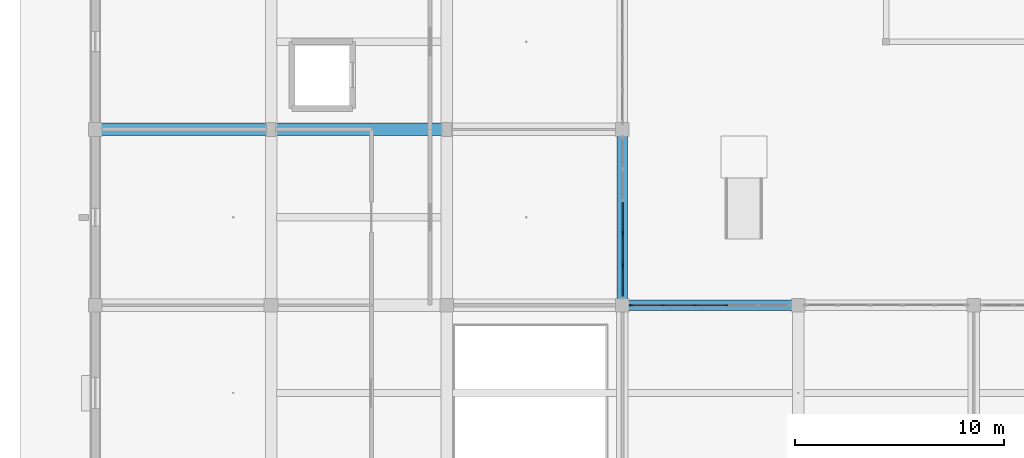
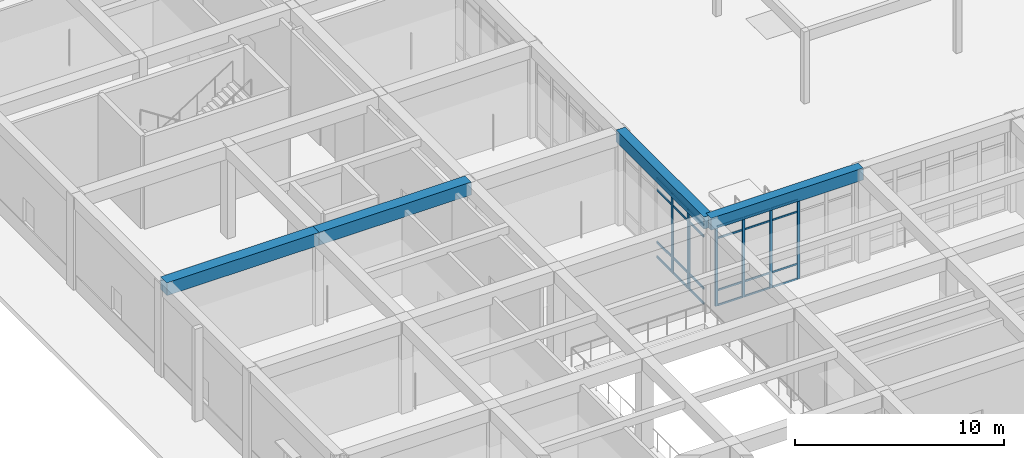
# One storey, part 13 of 167: 30 members, 4 beams, 2 elements without a shape of their own.
"""IFC4 building model written with IfcOpenShell, lengths in metres."""

from ifc_helpers import new_model, si_unit, direction, frame, origin, origin_2d, place, context, subcontext, project, spatial, rectangle, extrude, material, material_profile, profile_set, type_object, element, aggregate, save


model = new_model("IFC4")

# Units and contexts
model_context = context("Model", 3, precision=1e-05, world=origin(), true_north=direction((0.0, 1.0)))
body_context = subcontext(model_context, "Body", "Model", "MODEL_VIEW")
ifc_project = project(units=[si_unit("LENGTHUNIT", "METRE"), si_unit("AREAUNIT", "SQUARE_METRE"), si_unit("VOLUMEUNIT", "CUBIC_METRE"), si_unit("PLANEANGLEUNIT", "RADIAN"), si_unit("MASSUNIT", "GRAM", prefix="KILO")], contexts=[model_context])

# Site, building, storey
site_placement = place(None, origin())
site = spatial("IfcSite", under=ifc_project, at=site_placement, CompositionType="ELEMENT")
building_placement = place(site_placement, origin())
building = spatial("IfcBuilding", under=site, at=building_placement, Name="Varncliffe General Hospital", CompositionType="ELEMENT")
storey_placement = place(building_placement, origin())
storey = spatial("IfcBuildingStorey", under=building, at=storey_placement, Name="L00", CompositionType="ELEMENT", Elevation=0.0)

# Beams
ifc_material_1 = material(Name="Concrete C35/45 (CSA A23.1 35 MPa)", Category="concrete")
ifc_material_profile_1 = material_profile(ifc_material_1, rectangle(XDim=0.60009765625, YDim=0.75, at=origin_2d()), Name="RC 600x750")
ifc_profile_set_1 = profile_set([ifc_material_profile_1], Name="Concrete C35/45 (CSA A23.1 35 MPa)")
beam_type_1 = type_object("IfcBeamType", Name="Beam B23 (Int RC 600x750)", PredefinedType="BEAM", material=ifc_profile_set_1)
beam_1_placement = place(storey_placement, frame((0.0, 49.199951171875, 5.02490234375), z_axis=(1.0, 0.0, 0.0), x_axis=(0.0, 1.0, 0.0)))
element("IfcBeam", 1, at=beam_1_placement, inside=storey, type_object=beam_type_1, Name="L00 Primary Beam B23-67", PredefinedType="BEAM", context=body_context, shape_type="SweptSolid", body=[
    extrude(rectangle(XDim=0.60009765625, YDim=0.75, at=origin_2d()), origin(), (0.0, 0.0, 1.0), 8.39990234375),
])
beam_2_placement = place(storey_placement, frame((8.39990234375, 49.199951171875, 5.02490234375), z_axis=(1.0, 0.0, 0.0), x_axis=(0.0, 1.0, 0.0)))
element("IfcBeam", 2, at=beam_2_placement, inside=storey, type_object=beam_type_1, Name="L00 Primary Beam B23-68", PredefinedType="BEAM", context=body_context, shape_type="SweptSolid", body=[
    extrude(rectangle(XDim=0.60009765625, YDim=0.75, at=origin_2d()), origin(), (0.0, 0.0, 1.0), 8.400146484375),
])

# Curtain wall, members
ifc_material_2 = material(Name="Triple low-E argon insulated vision glazing", Category="glass")
curtain_wall_type_1 = type_object("IfcCurtainWallType", Name="Unitised Glazed Curtain Wall CW15 (7674x4640)", PredefinedType="USERDEFINED", material=ifc_material_2)
curtain_wall_1_placement = place(storey_placement, origin())
curtain_wall_1 = element("IfcCurtainWall", 3, at=curtain_wall_1_placement, inside=storey, type_object=curtain_wall_type_1, Name="L00 Glazed Curtain Wall CW15-16", ObjectType="GLAZED CURTAIN WALL", PredefinedType="USERDEFINED")
ifc_material_3 = material(Name="Dark bronze thermally broken aluminium framing", Category="aluminium")
ifc_material_profile_2 = material_profile(ifc_material_3, rectangle(XDim=0.074951171875, YDim=0.179931640625, at=origin_2d()), Name="ALU 75x180")
ifc_profile_set_2 = profile_set([ifc_material_profile_2], Name="Dark bronze thermally broken aluminium framing")
member_type_1 = type_object("IfcMemberType", Name="Curtain Wall Mullion CM44 (ALU 75x180)", PredefinedType="MULLION", material=ifc_profile_set_2)
member_1_placement = place(storey_placement, frame((25.199951171875, 44.232666015625, 0.0), z_axis=(0.0, 0.0, 1.0), x_axis=(1.0, 0.0, 0.0)))
member_1 = element("IfcMember", 4, at=member_1_placement, type_object=member_type_1, Name="CW15 mullion 4", PredefinedType="MULLION", context=body_context, shape_type="SweptSolid", body=[
    extrude(rectangle(XDim=0.074951171875, YDim=0.179931640625, at=origin_2d()), origin(), (0.0, 0.0, 1.0), 4.639892578125),
])
member_2_placement = place(storey_placement, frame((25.199951171875, 42.69775390625, 0.0), z_axis=(0.0, 0.0, 1.0), x_axis=(1.0, 0.0, 0.0)))
member_2 = element("IfcMember", 5, at=member_2_placement, type_object=member_type_1, Name="CW15 mullion 5", PredefinedType="MULLION", context=body_context, shape_type="SweptSolid", body=[
    extrude(rectangle(XDim=0.074951171875, YDim=0.179931640625, at=origin_2d()), origin(), (0.0, 0.0, 1.0), 4.639892578125),
])

curtain_wall_type_2 = type_object("IfcCurtainWallType", Name="Unitised Glazed Curtain Wall CW26 (7594x4640)", PredefinedType="USERDEFINED", material=ifc_material_2)
curtain_wall_2_placement = place(storey_placement, origin())
curtain_wall_2 = element("IfcCurtainWall", 6, at=curtain_wall_2_placement, inside=storey, type_object=curtain_wall_type_2, Name="L00 Glazed Curtain Wall CW26-17", ObjectType="GLAZED CURTAIN WALL", PredefinedType="USERDEFINED")
ifc_material_profile_3 = material_profile(ifc_material_3, rectangle(XDim=0.06494140625, YDim=0.159912109375, at=origin_2d()), Name="ALU 65x160")
ifc_profile_set_3 = profile_set([ifc_material_profile_3], Name="Dark bronze thermally broken aluminium framing")
member_type_2 = type_object("IfcMemberType", Name="Curtain Wall Mullion CM65 (ALU 65x160)", PredefinedType="MULLION", material=ifc_profile_set_3)
member_3_placement = place(storey_placement, frame((25.635498046875, 40.800048828125, 0.0), z_axis=(0.0, 0.0, 1.0), x_axis=(0.0, 1.0, 0.0)))
member_3 = element("IfcMember", 7, at=member_3_placement, type_object=member_type_2, Name="CW26 mullion 1", PredefinedType="MULLION", context=body_context, shape_type="SweptSolid", body=[
    extrude(rectangle(XDim=0.06494140625, YDim=0.159912109375, at=origin_2d()), origin(), (0.0, 0.0, 1.0), 4.639892578125),
])
member_4_placement = place(storey_placement, frame((27.121826171875, 40.800048828125, 0.0), z_axis=(0.0, 0.0, 1.0), x_axis=(0.0, 1.0, 0.0)))
member_4 = element("IfcMember", 8, at=member_4_placement, type_object=member_type_2, Name="CW26 mullion 2", PredefinedType="MULLION", context=body_context, shape_type="SweptSolid", body=[
    extrude(rectangle(XDim=0.06494140625, YDim=0.159912109375, at=origin_2d()), origin(), (0.0, 0.0, 1.0), 4.639892578125),
])
member_5_placement = place(storey_placement, frame((28.640625, 40.800048828125, 0.0), z_axis=(0.0, 0.0, 1.0), x_axis=(0.0, 1.0, 0.0)))
member_5 = element("IfcMember", 9, at=member_5_placement, type_object=member_type_2, Name="CW26 mullion 3", PredefinedType="MULLION", context=body_context, shape_type="SweptSolid", body=[
    extrude(rectangle(XDim=0.06494140625, YDim=0.159912109375, at=origin_2d()), origin(), (0.0, 0.0, 1.0), 4.639892578125),
])
member_6_placement = place(storey_placement, frame((30.159423828125, 40.800048828125, 0.0), z_axis=(0.0, 0.0, 1.0), x_axis=(0.0, 1.0, 0.0)))
member_6 = element("IfcMember", 10, at=member_6_placement, type_object=member_type_2, Name="CW26 mullion 4", PredefinedType="MULLION", context=body_context, shape_type="SweptSolid", body=[
    extrude(rectangle(XDim=0.06494140625, YDim=0.159912109375, at=origin_2d()), origin(), (0.0, 0.0, 1.0), 4.639892578125),
])

# Member
ifc_material_profile_4 = material_profile(ifc_material_3, rectangle(XDim=0.06005859375, YDim=0.1201171875, at=origin_2d()), Name="ALU 60x120")
ifc_profile_set_4 = profile_set([ifc_material_profile_4], Name="Dark bronze thermally broken aluminium framing")
member_type_3 = type_object("IfcMemberType", Name="Curtain Wall Transom CT14 (ALU 60x120)", PredefinedType="USERDEFINED", material=ifc_profile_set_4)
member_7_placement = place(storey_placement, frame((25.199951171875, 45.72998046875, 0.030029296875), z_axis=(0.0, -1.0, 0.0), x_axis=(1.0, 0.0, 0.0)))
member_7 = element("IfcMember", 11, at=member_7_placement, type_object=member_type_3, Name="CW15 transom 3.1", ObjectType="TRANSOM", PredefinedType="USERDEFINED", context=body_context, shape_type="SweptSolid", body=[
    extrude(rectangle(XDim=0.06005859375, YDim=0.1201171875, at=origin_2d()), origin(), (0.0, 0.0, 1.0), 1.4599609375),
])

member_8_placement = place(storey_placement, frame((25.199951171875, 45.72998046875, 0.89990234375), z_axis=(0.0, -1.0, 0.0), x_axis=(1.0, 0.0, 0.0)))
member_8 = element("IfcMember", 12, at=member_8_placement, type_object=member_type_3, Name="CW15 transom 3.2", ObjectType="TRANSOM", PredefinedType="USERDEFINED", context=body_context, shape_type="SweptSolid", body=[
    extrude(rectangle(XDim=0.06005859375, YDim=0.1201171875, at=origin_2d()), origin(), (0.0, 0.0, 1.0), 1.4599609375),
])

member_9_placement = place(storey_placement, frame((25.199951171875, 45.72998046875, 3.93994140625), z_axis=(0.0, -1.0, 0.0), x_axis=(1.0, 0.0, 0.0)))
member_9 = element("IfcMember", 13, at=member_9_placement, type_object=member_type_3, Name="CW15 transom 3.3", ObjectType="TRANSOM", PredefinedType="USERDEFINED", context=body_context, shape_type="SweptSolid", body=[
    extrude(rectangle(XDim=0.06005859375, YDim=0.1201171875, at=origin_2d()), origin(), (0.0, 0.0, 1.0), 1.4599609375),
])

member_10_placement = place(storey_placement, frame((25.199951171875, 45.72998046875, 4.610107421875), z_axis=(0.0, -1.0, 0.0), x_axis=(1.0, 0.0, 0.0)))
member_10 = element("IfcMember", 14, at=member_10_placement, type_object=member_type_3, Name="CW15 transom 3.4", ObjectType="TRANSOM", PredefinedType="USERDEFINED", context=body_context, shape_type="SweptSolid", body=[
    extrude(rectangle(XDim=0.06005859375, YDim=0.1201171875, at=origin_2d()), origin(), (0.0, 0.0, 1.0), 1.4599609375),
])

member_11_placement = place(storey_placement, frame((25.199951171875, 44.195068359375, 0.030029296875), z_axis=(0.0, -1.0, 0.0), x_axis=(1.0, 0.0, 0.0)))
member_11 = element("IfcMember", 15, at=member_11_placement, type_object=member_type_3, Name="CW15 transom 4.1", ObjectType="TRANSOM", PredefinedType="USERDEFINED", context=body_context, shape_type="SweptSolid", body=[
    extrude(rectangle(XDim=0.06005859375, YDim=0.1201171875, at=origin_2d()), origin(), (0.0, 0.0, 1.0), 1.459716796875),
])

member_12_placement = place(storey_placement, frame((25.199951171875, 44.195068359375, 0.89990234375), z_axis=(0.0, -1.0, 0.0), x_axis=(1.0, 0.0, 0.0)))
member_12 = element("IfcMember", 16, at=member_12_placement, type_object=member_type_3, Name="CW15 transom 4.2", ObjectType="TRANSOM", PredefinedType="USERDEFINED", context=body_context, shape_type="SweptSolid", body=[
    extrude(rectangle(XDim=0.06005859375, YDim=0.1201171875, at=origin_2d()), origin(), (0.0, 0.0, 1.0), 1.459716796875),
])

member_13_placement = place(storey_placement, frame((25.199951171875, 44.195068359375, 3.93994140625), z_axis=(0.0, -1.0, 0.0), x_axis=(1.0, 0.0, 0.0)))
member_13 = element("IfcMember", 17, at=member_13_placement, type_object=member_type_3, Name="CW15 transom 4.3", ObjectType="TRANSOM", PredefinedType="USERDEFINED", context=body_context, shape_type="SweptSolid", body=[
    extrude(rectangle(XDim=0.06005859375, YDim=0.1201171875, at=origin_2d()), origin(), (0.0, 0.0, 1.0), 1.459716796875),
])

member_14_placement = place(storey_placement, frame((25.199951171875, 44.195068359375, 4.610107421875), z_axis=(0.0, -1.0, 0.0), x_axis=(1.0, 0.0, 0.0)))
member_14 = element("IfcMember", 18, at=member_14_placement, type_object=member_type_3, Name="CW15 transom 4.4", ObjectType="TRANSOM", PredefinedType="USERDEFINED", context=body_context, shape_type="SweptSolid", body=[
    extrude(rectangle(XDim=0.06005859375, YDim=0.1201171875, at=origin_2d()), origin(), (0.0, 0.0, 1.0), 1.459716796875),
])

member_15_placement = place(storey_placement, frame((25.199951171875, 42.660400390625, 0.030029296875), z_axis=(0.0, -1.0, 0.0), x_axis=(1.0, 0.0, 0.0)))
member_15 = element("IfcMember", 19, at=member_15_placement, type_object=member_type_3, Name="CW15 transom 5.1", ObjectType="TRANSOM", PredefinedType="USERDEFINED", context=body_context, shape_type="SweptSolid", body=[
    extrude(rectangle(XDim=0.06005859375, YDim=0.1201171875, at=origin_2d()), origin(), (0.0, 0.0, 1.0), 1.42236328125),
])

member_16_placement = place(storey_placement, frame((25.199951171875, 42.660400390625, 0.89990234375), z_axis=(0.0, -1.0, 0.0), x_axis=(1.0, 0.0, 0.0)))
member_16 = element("IfcMember", 20, at=member_16_placement, type_object=member_type_3, Name="CW15 transom 5.2", ObjectType="TRANSOM", PredefinedType="USERDEFINED", context=body_context, shape_type="SweptSolid", body=[
    extrude(rectangle(XDim=0.06005859375, YDim=0.1201171875, at=origin_2d()), origin(), (0.0, 0.0, 1.0), 1.42236328125),
])

member_17_placement = place(storey_placement, frame((25.199951171875, 42.660400390625, 3.93994140625), z_axis=(0.0, -1.0, 0.0), x_axis=(1.0, 0.0, 0.0)))
member_17 = element("IfcMember", 21, at=member_17_placement, type_object=member_type_3, Name="CW15 transom 5.3", ObjectType="TRANSOM", PredefinedType="USERDEFINED", context=body_context, shape_type="SweptSolid", body=[
    extrude(rectangle(XDim=0.06005859375, YDim=0.1201171875, at=origin_2d()), origin(), (0.0, 0.0, 1.0), 1.42236328125),
])

member_18_placement = place(storey_placement, frame((25.199951171875, 42.660400390625, 4.610107421875), z_axis=(0.0, -1.0, 0.0), x_axis=(1.0, 0.0, 0.0)))
member_18 = element("IfcMember", 22, at=member_18_placement, type_object=member_type_3, Name="CW15 transom 5.4", ObjectType="TRANSOM", PredefinedType="USERDEFINED", context=body_context, shape_type="SweptSolid", body=[
    extrude(rectangle(XDim=0.06005859375, YDim=0.1201171875, at=origin_2d()), origin(), (0.0, 0.0, 1.0), 1.42236328125),
])

aggregate(curtain_wall_1, [member_1, member_2, member_7, member_8, member_9, member_10, member_11, member_12, member_13, member_14, member_15, member_16, member_17, member_18])

ifc_material_profile_5 = material_profile(ifc_material_3, rectangle(XDim=0.06005859375, YDim=0.10009765625, at=origin_2d()), Name="ALU 60x100")
ifc_profile_set_5 = profile_set([ifc_material_profile_5], Name="Dark bronze thermally broken aluminium framing")
member_type_4 = type_object("IfcMemberType", Name="Curtain Wall Transom CT18 (ALU 60x100)", PredefinedType="USERDEFINED", material=ifc_profile_set_5)
member_19_placement = place(storey_placement, frame((25.66796875, 40.800048828125, 0.030029296875), z_axis=(1.0, 0.0, 0.0), x_axis=(0.0, 1.0, 0.0)))
member_19 = element("IfcMember", 23, at=member_19_placement, type_object=member_type_4, Name="CW26 transom 1.1", ObjectType="TRANSOM", PredefinedType="USERDEFINED", context=body_context, shape_type="SweptSolid", body=[
    extrude(rectangle(XDim=0.06005859375, YDim=0.10009765625, at=origin_2d()), origin(), (0.0, 0.0, 1.0), 1.42138671875),
])

member_20_placement = place(storey_placement, frame((25.66796875, 40.800048828125, 0.89990234375), z_axis=(1.0, 0.0, 0.0), x_axis=(0.0, 1.0, 0.0)))
member_20 = element("IfcMember", 24, at=member_20_placement, type_object=member_type_4, Name="CW26 transom 1.2", ObjectType="TRANSOM", PredefinedType="USERDEFINED", context=body_context, shape_type="SweptSolid", body=[
    extrude(rectangle(XDim=0.06005859375, YDim=0.10009765625, at=origin_2d()), origin(), (0.0, 0.0, 1.0), 1.42138671875),
])

member_21_placement = place(storey_placement, frame((25.66796875, 40.800048828125, 3.93994140625), z_axis=(1.0, 0.0, 0.0), x_axis=(0.0, 1.0, 0.0)))
member_21 = element("IfcMember", 25, at=member_21_placement, type_object=member_type_4, Name="CW26 transom 1.3", ObjectType="TRANSOM", PredefinedType="USERDEFINED", context=body_context, shape_type="SweptSolid", body=[
    extrude(rectangle(XDim=0.06005859375, YDim=0.10009765625, at=origin_2d()), origin(), (0.0, 0.0, 1.0), 1.42138671875),
])

member_22_placement = place(storey_placement, frame((25.66796875, 40.800048828125, 4.610107421875), z_axis=(1.0, 0.0, 0.0), x_axis=(0.0, 1.0, 0.0)))
member_22 = element("IfcMember", 26, at=member_22_placement, type_object=member_type_4, Name="CW26 transom 1.4", ObjectType="TRANSOM", PredefinedType="USERDEFINED", context=body_context, shape_type="SweptSolid", body=[
    extrude(rectangle(XDim=0.06005859375, YDim=0.10009765625, at=origin_2d()), origin(), (0.0, 0.0, 1.0), 1.42138671875),
])

member_23_placement = place(storey_placement, frame((27.154296875, 40.800048828125, 0.030029296875), z_axis=(1.0, 0.0, 0.0), x_axis=(0.0, 1.0, 0.0)))
member_23 = element("IfcMember", 27, at=member_23_placement, type_object=member_type_4, Name="CW26 transom 2.1", ObjectType="TRANSOM", PredefinedType="USERDEFINED", context=body_context, shape_type="SweptSolid", body=[
    extrude(rectangle(XDim=0.06005859375, YDim=0.10009765625, at=origin_2d()), origin(), (0.0, 0.0, 1.0), 1.453857421875),
])

member_24_placement = place(storey_placement, frame((27.154296875, 40.800048828125, 0.89990234375), z_axis=(1.0, 0.0, 0.0), x_axis=(0.0, 1.0, 0.0)))
member_24 = element("IfcMember", 28, at=member_24_placement, type_object=member_type_4, Name="CW26 transom 2.2", ObjectType="TRANSOM", PredefinedType="USERDEFINED", context=body_context, shape_type="SweptSolid", body=[
    extrude(rectangle(XDim=0.06005859375, YDim=0.10009765625, at=origin_2d()), origin(), (0.0, 0.0, 1.0), 1.453857421875),
])

member_25_placement = place(storey_placement, frame((27.154296875, 40.800048828125, 3.93994140625), z_axis=(1.0, 0.0, 0.0), x_axis=(0.0, 1.0, 0.0)))
member_25 = element("IfcMember", 29, at=member_25_placement, type_object=member_type_4, Name="CW26 transom 2.3", ObjectType="TRANSOM", PredefinedType="USERDEFINED", context=body_context, shape_type="SweptSolid", body=[
    extrude(rectangle(XDim=0.06005859375, YDim=0.10009765625, at=origin_2d()), origin(), (0.0, 0.0, 1.0), 1.453857421875),
])

member_26_placement = place(storey_placement, frame((27.154296875, 40.800048828125, 4.610107421875), z_axis=(1.0, 0.0, 0.0), x_axis=(0.0, 1.0, 0.0)))
member_26 = element("IfcMember", 30, at=member_26_placement, type_object=member_type_4, Name="CW26 transom 2.4", ObjectType="TRANSOM", PredefinedType="USERDEFINED", context=body_context, shape_type="SweptSolid", body=[
    extrude(rectangle(XDim=0.06005859375, YDim=0.10009765625, at=origin_2d()), origin(), (0.0, 0.0, 1.0), 1.453857421875),
])

member_27_placement = place(storey_placement, frame((28.673095703125, 40.800048828125, 0.030029296875), z_axis=(1.0, 0.0, 0.0), x_axis=(0.0, 1.0, 0.0)))
member_27 = element("IfcMember", 31, at=member_27_placement, type_object=member_type_4, Name="CW26 transom 3.1", ObjectType="TRANSOM", PredefinedType="USERDEFINED", context=body_context, shape_type="SweptSolid", body=[
    extrude(rectangle(XDim=0.06005859375, YDim=0.10009765625, at=origin_2d()), origin(), (0.0, 0.0, 1.0), 1.453857421875),
])

member_28_placement = place(storey_placement, frame((28.673095703125, 40.800048828125, 0.89990234375), z_axis=(1.0, 0.0, 0.0), x_axis=(0.0, 1.0, 0.0)))
member_28 = element("IfcMember", 32, at=member_28_placement, type_object=member_type_4, Name="CW26 transom 3.2", ObjectType="TRANSOM", PredefinedType="USERDEFINED", context=body_context, shape_type="SweptSolid", body=[
    extrude(rectangle(XDim=0.06005859375, YDim=0.10009765625, at=origin_2d()), origin(), (0.0, 0.0, 1.0), 1.453857421875),
])

member_29_placement = place(storey_placement, frame((28.673095703125, 40.800048828125, 3.93994140625), z_axis=(1.0, 0.0, 0.0), x_axis=(0.0, 1.0, 0.0)))
member_29 = element("IfcMember", 33, at=member_29_placement, type_object=member_type_4, Name="CW26 transom 3.3", ObjectType="TRANSOM", PredefinedType="USERDEFINED", context=body_context, shape_type="SweptSolid", body=[
    extrude(rectangle(XDim=0.06005859375, YDim=0.10009765625, at=origin_2d()), origin(), (0.0, 0.0, 1.0), 1.453857421875),
])

member_30_placement = place(storey_placement, frame((28.673095703125, 40.800048828125, 4.610107421875), z_axis=(1.0, 0.0, 0.0), x_axis=(0.0, 1.0, 0.0)))
member_30 = element("IfcMember", 34, at=member_30_placement, type_object=member_type_4, Name="CW26 transom 3.4", ObjectType="TRANSOM", PredefinedType="USERDEFINED", context=body_context, shape_type="SweptSolid", body=[
    extrude(rectangle(XDim=0.06005859375, YDim=0.10009765625, at=origin_2d()), origin(), (0.0, 0.0, 1.0), 1.453857421875),
])

aggregate(curtain_wall_2, [member_3, member_4, member_5, member_6, member_19, member_20, member_21, member_22, member_23, member_24, member_25, member_26, member_27, member_28, member_29, member_30])

# Beams
ifc_material_profile_6 = material_profile(ifc_material_1, rectangle(XDim=0.5, YDim=0.699951171875, at=origin_2d()), Name="RC 500x700")
ifc_profile_set_6 = profile_set([ifc_material_profile_6], Name="Concrete C35/45 (CSA A23.1 35 MPa)")
beam_type_2 = type_object("IfcBeamType", Name="Spandrel SP19 (Ext RC 500x700)", PredefinedType="SPANDREL", material=ifc_profile_set_6)
beam_3_placement = place(storey_placement, frame((25.199951171875, 40.800048828125, 5.050048828125), z_axis=(1.0, 0.0, 0.0), x_axis=(0.0, 1.0, 0.0)))
element("IfcBeam", 35, at=beam_3_placement, inside=storey, type_object=beam_type_2, Name="L00 Spandrel Beam SP19-56", PredefinedType="SPANDREL", context=body_context, shape_type="SweptSolid", body=[
    extrude(rectangle(XDim=0.5, YDim=0.699951171875, at=origin_2d()), origin(), (0.0, 0.0, 1.0), 8.400146484375),
])
beam_4_placement = place(storey_placement, frame((25.199951171875, 40.800048828125, 5.050048828125), z_axis=(0.0, 1.0, 0.0), x_axis=(-1.0, 0.0, 0.0)))
element("IfcBeam", 36, at=beam_4_placement, inside=storey, type_object=beam_type_2, Name="L00 Spandrel Beam SP19-313", PredefinedType="SPANDREL", context=body_context, shape_type="SweptSolid", body=[
    extrude(rectangle(XDim=0.5, YDim=0.699951171875, at=origin_2d()), origin(), (0.0, 0.0, 1.0), 8.39990234375),
])

save(model, "model.ifc")
